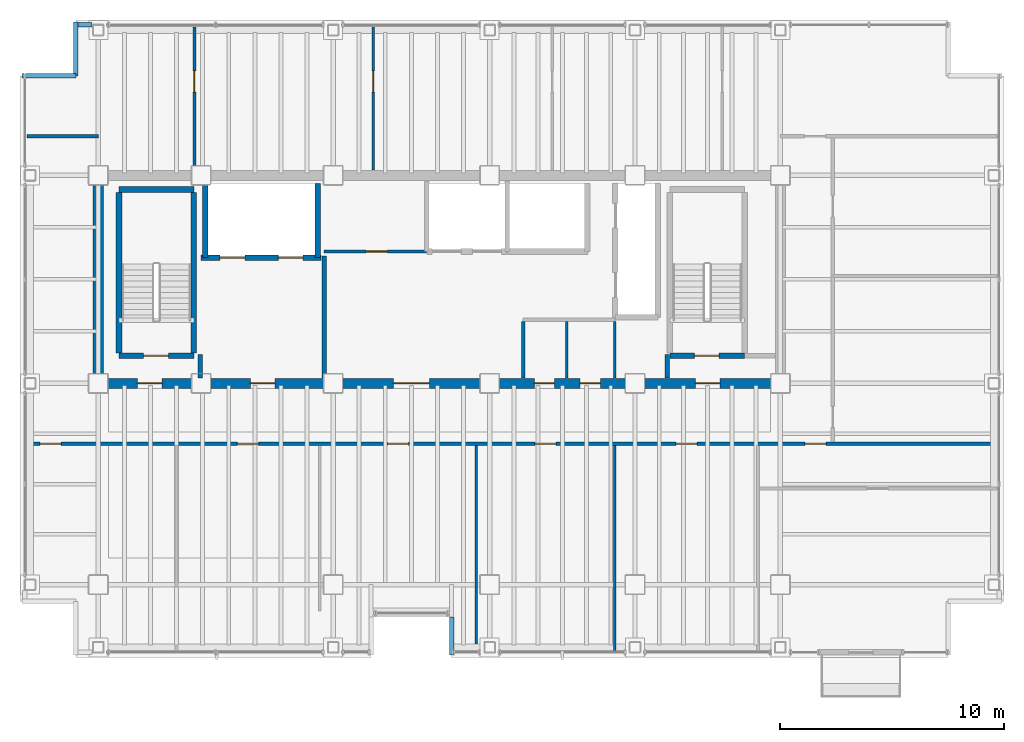
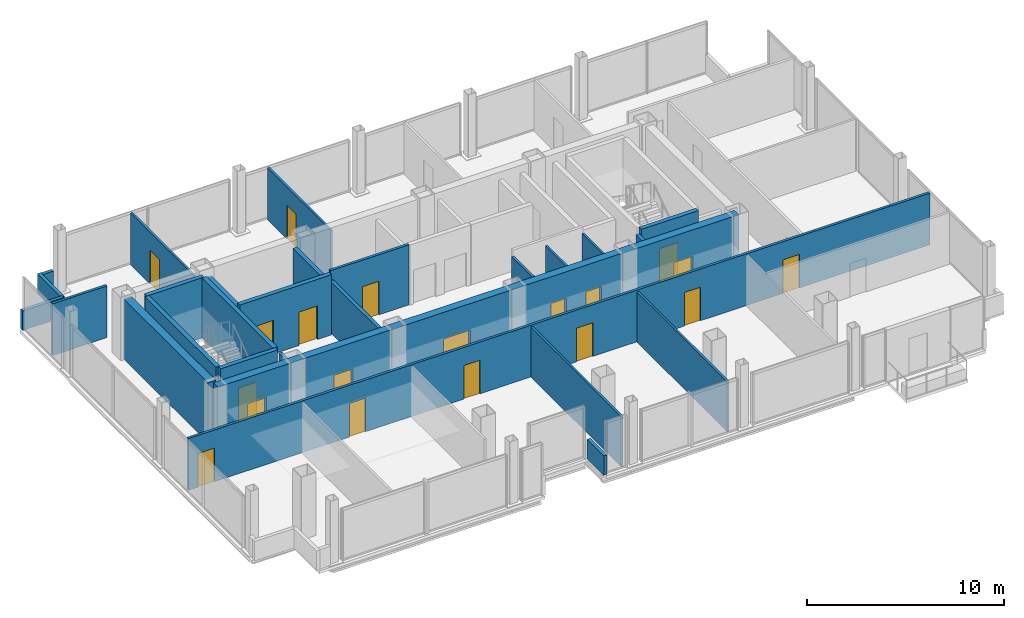
# One storey, part 13 of 16: 27 walls, 19 doors, 19 openings.
"""IFC4 building model written with IfcOpenShell, lengths in metres."""

from ifc_helpers import new_model, si_unit, direction, frame, frame_2d, origin, place, context, subcontext, project, spatial, rectangle, extrude, material, layer, layer_set, type_object, element, fill, save


model = new_model("IFC4")

# Units and contexts
model_context = context("Model", 3, precision=1e-05, world=origin(), true_north=direction((0.0, 1.0)))
body_context = subcontext(model_context, "Body", "Model", "MODEL_VIEW")
ifc_project = project(units=[si_unit("LENGTHUNIT", "METRE"), si_unit("AREAUNIT", "SQUARE_METRE"), si_unit("VOLUMEUNIT", "CUBIC_METRE"), si_unit("PLANEANGLEUNIT", "RADIAN"), si_unit("MASSUNIT", "GRAM", prefix="KILO")], contexts=[model_context])

# Site, building, storey
site_placement = place(None, origin())
site = spatial("IfcSite", under=ifc_project, at=site_placement, CompositionType="ELEMENT")
building_placement = place(site_placement, origin())
building = spatial("IfcBuilding", under=site, at=building_placement, Name="Noeulbin Bourse Tower", CompositionType="ELEMENT")
storey_placement = place(building_placement, frame((0.0, 0.0, 181.199951171875)))
storey = spatial("IfcBuildingStorey", under=building, at=storey_placement, Name="L45", CompositionType="ELEMENT", Elevation=181.199951171875)

# Wall, openings, doors
ifc_material_1 = material(Name="Concrete C50/60", Category="concrete")
ifc_layer_1 = layer(ifc_material_1, 0.449951171875)
ifc_layer_set_1 = layer_set([ifc_layer_1], Name="Concrete C50/60")
wall_type_1 = type_object("IfcWallType", Name="WAL-CORE-450", PredefinedType="SHEAR", material=ifc_layer_set_1)
wall_1_placement = place(storey_placement, frame((13.5, 29.0, 0.0), z_axis=(0.0, 0.0, 1.0), x_axis=(1.0, 0.0, 0.0)))
wall_1 = element("IfcWall", 1, at=wall_1_placement, inside=storey, type_object=wall_type_1, Name="Rear Core South Shear Wall L45", PredefinedType="SHEAR", context=body_context, shape_type="SweptSolid", body=[
    extrude(rectangle(XDim=30.5, YDim=0.449951171875, at=frame_2d((15.25, 0.0))), origin(), (0.0, 0.0, 1.0), 3.719970703125),
])
opening_1_placement = place(wall_1_placement, frame((1.75, 0.0, 0.0)))
opening_1 = element("IfcOpeningElement", 2, at=opening_1_placement, cuts=wall_1, Name="Opening FD-11", PredefinedType="OPENING", context=body_context, shape_type="SweptSolid", body=[
    extrude(rectangle(XDim=1.10009765625, YDim=2.080078125, at=frame_2d((0.550048828125, 1.0400390625))), frame((0.0, 0.23486328125, 0.0), z_axis=(0.0, -1.0, 0.0), x_axis=(1.0, 0.0, 0.0)), (0.0, 0.0, 1.0), 0.469970703125),
])
opening_2_placement = place(wall_1_placement, frame((26.699951171875, 0.0, 0.0)))
opening_2 = element("IfcOpeningElement", 3, at=opening_2_placement, cuts=wall_1, Name="Opening FD-11", PredefinedType="OPENING", context=body_context, shape_type="SweptSolid", body=[
    extrude(rectangle(XDim=1.10009765625, YDim=2.080078125, at=frame_2d((0.550048828125, 1.0400390625))), frame((0.0, 0.23486328125, 0.0), z_axis=(0.0, -1.0, 0.0), x_axis=(1.0, 0.0, 0.0)), (0.0, 0.0, 1.0), 0.469970703125),
])
opening_3_placement = place(wall_1_placement, frame((6.800048828125, 0.0, 0.0)))
opening_3 = element("IfcOpeningElement", 4, at=opening_3_placement, cuts=wall_1, Name="Opening FD-11", PredefinedType="OPENING", context=body_context, shape_type="SweptSolid", body=[
    extrude(rectangle(XDim=1.10009765625, YDim=2.080078125, at=frame_2d((0.550048828125, 1.0400390625))), frame((0.0, 0.23486328125, 0.0), z_axis=(0.0, -1.0, 0.0), x_axis=(1.0, 0.0, 0.0)), (0.0, 0.0, 1.0), 0.469970703125),
])
opening_4_placement = place(wall_1_placement, frame((13.199951171875, 0.0, 0.0)))
opening_4 = element("IfcOpeningElement", 5, at=opening_4_placement, cuts=wall_1, Name="Opening ID-16", PredefinedType="OPENING", context=body_context, shape_type="SweptSolid", body=[
    extrude(rectangle(XDim=1.60009765625, YDim=2.080078125, at=frame_2d((0.800048828125, 1.0400390625))), frame((0.0, 0.23486328125, 0.0), z_axis=(0.0, -1.0, 0.0), x_axis=(1.0, 0.0, 0.0)), (0.0, 0.0, 1.0), 0.469970703125),
])
opening_5_placement = place(wall_1_placement, frame((19.5, 0.0, 0.0)))
opening_5 = element("IfcOpeningElement", 6, at=opening_5_placement, cuts=wall_1, Name="Opening FD-09", PredefinedType="OPENING", context=body_context, shape_type="SweptSolid", body=[
    extrude(rectangle(XDim=0.89990234375, YDim=2.080078125, at=frame_2d((0.449951171875, 1.0400390625))), frame((0.0, 0.23486328125, 0.0), z_axis=(0.0, -1.0, 0.0), x_axis=(1.0, 0.0, 0.0)), (0.0, 0.0, 1.0), 0.469970703125),
])
opening_6_placement = place(wall_1_placement, frame((21.550048828125, 0.0, 0.0)))
opening_6 = element("IfcOpeningElement", 7, at=opening_6_placement, cuts=wall_1, Name="Opening FD-09", PredefinedType="OPENING", context=body_context, shape_type="SweptSolid", body=[
    extrude(rectangle(XDim=0.89990234375, YDim=2.080078125, at=frame_2d((0.449951171875, 1.0400390625))), frame((0.0, 0.23486328125, 0.0), z_axis=(0.0, -1.0, 0.0), x_axis=(1.0, 0.0, 0.0)), (0.0, 0.0, 1.0), 0.469970703125),
])
ifc_material_2 = material(Name="Acoustic Glazed Aluminium", Category="aluminium")
door_type_1 = type_object("IfcDoorType", Name="DR-DBL-1600", OperationType="DOUBLE_DOOR_SINGLE_SWING", PredefinedType="DOOR", material=ifc_material_2)
door_1_placement = place(opening_4_placement, origin())
door_1 = element("IfcDoor", 8, at=door_1_placement, inside=storey, type_object=door_type_1, Name="Passenger Lift Lobby Portal L45", OperationType="DOUBLE_DOOR_SINGLE_SWING", OverallHeight=2.080078125, OverallWidth=1.60009765625, PredefinedType="DOOR", context=body_context, shape_type="SweptSolid", body=[
    extrude(rectangle(XDim=1.60009765625, YDim=2.080078125, at=frame_2d((0.800048828125, 1.0400390625))), frame((0.0, 0.02490234375, 0.0), z_axis=(0.0, -1.0, 0.0), x_axis=(1.0, 0.0, 0.0)), (0.0, 0.0, 1.0), 0.050048828125),
])
fill(opening_4, door_1)
ifc_material_3 = material(Name="Fire-Rated Timber Core", Category="wood")
door_type_2 = type_object("IfcDoorType", Name="DR-FD30-900", OperationType="SINGLE_SWING_RIGHT", PredefinedType="DOOR", material=ifc_material_3)
door_2_placement = place(opening_5_placement, origin())
door_2 = element("IfcDoor", 9, at=door_2_placement, inside=storey, type_object=door_type_2, Name="Interior Door L45-06", OperationType="SINGLE_SWING_RIGHT", OverallHeight=2.080078125, OverallWidth=0.89990234375, PredefinedType="DOOR", context=body_context, shape_type="SweptSolid", body=[
    extrude(rectangle(XDim=0.89990234375, YDim=2.080078125, at=frame_2d((0.449951171875, 1.0400390625))), frame((0.0, 0.02490234375, 0.0), z_axis=(0.0, -1.0, 0.0), x_axis=(1.0, 0.0, 0.0)), (0.0, 0.0, 1.0), 0.050048828125),
])
fill(opening_5, door_2)
door_3_placement = place(opening_6_placement, origin())
door_3 = element("IfcDoor", 10, at=door_3_placement, inside=storey, type_object=door_type_2, Name="Interior Door L45-07", OperationType="SINGLE_SWING_LEFT", OverallHeight=2.080078125, OverallWidth=0.89990234375, PredefinedType="DOOR", context=body_context, shape_type="SweptSolid", body=[
    extrude(rectangle(XDim=0.89990234375, YDim=2.080078125, at=frame_2d((0.449951171875, 1.0400390625))), frame((0.0, 0.02490234375, 0.0), z_axis=(0.0, -1.0, 0.0), x_axis=(1.0, 0.0, 0.0)), (0.0, 0.0, 1.0), 0.050048828125),
])
fill(opening_6, door_3)
ifc_material_4 = material(Name="Fire-Rated Insulated Steel", Category="steel")
door_type_3 = type_object("IfcDoorType", Name="DR-FD60-1100", OperationType="SINGLE_SWING_LEFT", PredefinedType="DOOR", material=ifc_material_4)
door_4_placement = place(opening_1_placement, origin())
door_4 = element("IfcDoor", 11, at=door_4_placement, inside=storey, type_object=door_type_3, Name="West Stair Lobby Door L45", OperationType="SINGLE_SWING_LEFT", OverallHeight=2.080078125, OverallWidth=1.10009765625, PredefinedType="DOOR", context=body_context, shape_type="SweptSolid", body=[
    extrude(rectangle(XDim=1.10009765625, YDim=2.080078125, at=frame_2d((0.550048828125, 1.0400390625))), frame((0.0, 0.02490234375, 0.0), z_axis=(0.0, -1.0, 0.0), x_axis=(1.0, 0.0, 0.0)), (0.0, 0.0, 1.0), 0.050048828125),
])
fill(opening_1, door_4)
door_5_placement = place(opening_2_placement, origin())
door_5 = element("IfcDoor", 12, at=door_5_placement, inside=storey, type_object=door_type_3, Name="East Stair Lobby Door L45", OperationType="SINGLE_SWING_RIGHT", OverallHeight=2.080078125, OverallWidth=1.10009765625, PredefinedType="DOOR", context=body_context, shape_type="SweptSolid", body=[
    extrude(rectangle(XDim=1.10009765625, YDim=2.080078125, at=frame_2d((0.550048828125, 1.0400390625))), frame((0.0, 0.02490234375, 0.0), z_axis=(0.0, -1.0, 0.0), x_axis=(1.0, 0.0, 0.0)), (0.0, 0.0, 1.0), 0.050048828125),
])
fill(opening_2, door_5)
door_6_placement = place(opening_3_placement, origin())
door_6 = element("IfcDoor", 13, at=door_6_placement, inside=storey, type_object=door_type_3, Name="Firefighting Lobby Door L45", OperationType="SINGLE_SWING_LEFT", OverallHeight=2.080078125, OverallWidth=1.10009765625, PredefinedType="DOOR", context=body_context, shape_type="SweptSolid", body=[
    extrude(rectangle(XDim=1.10009765625, YDim=2.080078125, at=frame_2d((0.550048828125, 1.0400390625))), frame((0.0, 0.02490234375, 0.0), z_axis=(0.0, -1.0, 0.0), x_axis=(1.0, 0.0, 0.0)), (0.0, 0.0, 1.0), 0.050048828125),
])
fill(opening_3, door_6)

# Walls
wall_2_placement = place(storey_placement, frame((13.5, 29.35009765625, 0.0), z_axis=(0.0, 0.0, 1.0), x_axis=(0.0, 1.0, 0.0)))
element("IfcWall", 14, at=wall_2_placement, inside=storey, type_object=wall_type_1, Name="Rear Core West Shear Wall L45", PredefinedType="SHEAR", context=body_context, shape_type="SweptSolid", body=[
    extrude(rectangle(XDim=8.599853515625, YDim=0.449951171875, at=frame_2d((4.2998046875, 0.0))), origin(), (0.0, 0.0, 1.0), 3.719970703125),
])
ifc_material_5 = material(Name="Concrete C40/50", Category="concrete")
ifc_layer_2 = layer(ifc_material_5, 0.199951171875)
ifc_layer_set_2 = layer_set([ifc_layer_2], Name="Concrete C40/50")
wall_type_2 = type_object("IfcWallType", Name="WAL-FIRE-200", PredefinedType="STANDARD", material=ifc_layer_set_2)
for number, where, z_axis, x_axis, name in (
    (15, (18.050048828125, 29.235107421875, 0.0), (0.0, 0.0, 1.0), (0.0, 1.0, 0.0), "Interior Partition Wall L45-09"),
    (16, (38.949951171875, 29.235107421875, 0.0), (0.0, 0.0, 1.0), (0.0, 1.0, 0.0), "Interior Partition Wall L45-10"),
):
    element("IfcWall", number, at=place(storey_placement, frame(where, z_axis=z_axis, x_axis=x_axis)), inside=storey, type_object=wall_type_2, Name=name, PredefinedType="STANDARD", context=body_context, shape_type="SweptSolid", body=[
        extrude(rectangle(XDim=1.06494140625, YDim=0.199951171875, at=frame_2d((0.532470703125, 0.0))), origin(), (0.0, 0.0, 1.0), 3.35009765625),
    ])
wall_3_placement = place(storey_placement, frame((23.60009765625, 29.235107421875, 0.0), z_axis=(0.0, 0.0, 1.0), x_axis=(0.0, 1.0, 0.0)))
element("IfcWall", 17, at=wall_3_placement, inside=storey, type_object=wall_type_2, Name="Interior Partition Wall L45-11", PredefinedType="STANDARD", context=body_context, shape_type="SweptSolid", body=[
    extrude(rectangle(XDim=5.46484375, YDim=0.199951171875, at=frame_2d((2.732421875, 0.0))), origin(), (0.0, 0.0, 1.0), 3.199951171875),
])
ifc_layer_3 = layer(ifc_material_5, 0.199951171875)
ifc_layer_set_3 = layer_set([ifc_layer_3], Name="Concrete C40/50")
wall_type_3 = type_object("IfcWallType", Name="WAL-PAR-200", PredefinedType="PARAPET", material=ifc_layer_set_3)
wall_4_placement = place(storey_placement, frame((12.60009765625, 45.030029296875, 0.0), z_axis=(0.0, 0.0, 1.0), x_axis=(1.0, 0.0, 0.0)))
element("IfcWall", 18, at=wall_4_placement, inside=storey, type_object=wall_type_3, Name="Perimeter Pier Spandrel Parapet L45-N1", PredefinedType="PARAPET", context=body_context, shape_type="SweptSolid", body=[
    extrude(rectangle(XDim=0.6298828125, YDim=0.199951171875, at=frame_2d((0.31494140625, 0.0))), origin(), (0.0, 0.0, 1.0), 1.199951171875),
])
for number, where, z_axis, x_axis, name in (
    (19, (10.10009765625, 42.75, 0.0), (0.0, 0.0, 1.0), (1.0, 0.0, 0.0), "Corner Notch Parapet L45-NW1"),
    (20, (12.5, 42.75, 0.0), (0.0, 0.0, 1.0), (0.0, 1.0, 0.0), "Corner Notch Parapet L45-NW2"),
):
    element("IfcWall", number, at=place(storey_placement, frame(where, z_axis=z_axis, x_axis=x_axis)), inside=storey, type_object=wall_type_3, Name=name, PredefinedType="PARAPET", context=body_context, shape_type="SweptSolid", body=[
        extrude(rectangle(XDim=2.39990234375, YDim=0.199951171875, at=frame_2d((1.199951171875, 0.0))), origin(), (0.0, 0.0, 1.0), 1.199951171875),
    ])
wall_5_placement = place(storey_placement, frame((29.300048828125, 18.550048828125, 0.0), z_axis=(0.0, 0.0, 1.0), x_axis=(0.0, -1.0, 0.0)))
element("IfcWall", 21, at=wall_5_placement, inside=storey, type_object=wall_type_3, Name="Sky-Garden Recess Parapet L45-E", PredefinedType="PARAPET", context=body_context, shape_type="SweptSolid", body=[
    extrude(rectangle(XDim=1.699951171875, YDim=0.199951171875, at=frame_2d((0.85009765625, 0.0))), origin(), (0.0, 0.0, 1.0), 1.199951171875),
])
ifc_material_6 = material(Name="Steel Stud Gypsum Partition", Category="steel")
ifc_layer_4 = layer(ifc_material_6, 0.1201171875)
ifc_layer_set_4 = layer_set([ifc_layer_4], Name="Steel Stud Gypsum Partition")
wall_type_4 = type_object("IfcWallType", Name="WAL-PRT-120", PredefinedType="PARTITIONING", material=ifc_layer_set_4)
for number, where, z_axis, x_axis, name in (
    (22, (36.60009765625, 29.235107421875, 0.0), (0.0, 0.0, 1.0), (0.0, 1.0, 0.0), "Interior Partition Wall L45-13"),
    (23, (34.449951171875, 29.235107421875, 0.0), (0.0, 0.0, 1.0), (0.0, 1.0, 0.0), "Interior Partition Wall L45-14"),
):
    element("IfcWall", number, at=place(storey_placement, frame(where, z_axis=z_axis, x_axis=x_axis)), inside=storey, type_object=wall_type_4, Name=name, PredefinedType="PARTITIONING", context=body_context, shape_type="SweptSolid", body=[
        extrude(rectangle(XDim=2.52978515625, YDim=0.1201171875, at=frame_2d((1.264892578125, 0.0))), origin(), (0.0, 0.0, 1.0), 3.35009765625),
    ])
for number, where, z_axis, x_axis, name in (
    (24, (30.39990234375, 17.06005859375, 0.0), (0.0, 0.0, 1.0), (0.0, 1.0, 0.0), "Interior Partition Wall L45-18"),
    (25, (36.60009765625, 17.06005859375, 0.0), (0.0, 0.0, 1.0), (0.0, 1.0, 0.0), "Interior Partition Wall L45-19"),
):
    element("IfcWall", number, at=place(storey_placement, frame(where, z_axis=z_axis, x_axis=x_axis)), inside=storey, type_object=wall_type_4, Name=name, PredefinedType="PARTITIONING", context=body_context, shape_type="SweptSolid", body=[
        extrude(rectangle(XDim=9.155029296875, YDim=0.1201171875, at=frame_2d((4.57763671875, 0.0))), origin(), (0.0, 0.0, 1.0), 3.10009765625),
    ])

# Wall, opening, door
wall_6_placement = place(storey_placement, frame((17.800048828125, 38.534912109375, 0.0), z_axis=(0.0, 0.0, 1.0), x_axis=(0.0, 1.0, 0.0)))
wall_6 = element("IfcWall", 26, at=wall_6_placement, inside=storey, type_object=wall_type_4, Name="Interior Partition Wall L45-21", PredefinedType="PARTITIONING", context=body_context, shape_type="SweptSolid", body=[
    extrude(rectangle(XDim=6.405029296875, YDim=0.1201171875, at=frame_2d((3.20263671875, 0.0))), origin(), (0.0, 0.0, 1.0), 3.212158203125),
])
opening_7_placement = place(wall_6_placement, frame((3.485107421875, 0.0, 0.0)))
opening_7 = element("IfcOpeningElement", 27, at=opening_7_placement, cuts=wall_6, Name="Opening ID-09", PredefinedType="OPENING", context=body_context, shape_type="SweptSolid", body=[
    extrude(rectangle(XDim=0.949951171875, YDim=2.080078125, at=frame_2d((0.47509765625, 1.0400390625))), frame((0.0, 0.070068359375, 0.0), z_axis=(0.0, -1.0, 0.0), x_axis=(1.0, 0.0, 0.0)), (0.0, 0.0, 1.0), 0.14013671875),
])
ifc_material_7 = material(Name="Acoustic Solid-Core Timber", Category="wood")
door_type_4 = type_object("IfcDoorType", Name="DR-SINGLE-950", OperationType="SINGLE_SWING_LEFT", PredefinedType="DOOR", material=ifc_material_7)
door_7_placement = place(opening_7_placement, origin())
door_7 = element("IfcDoor", 28, at=door_7_placement, inside=storey, type_object=door_type_4, Name="Interior Door L45-18", OperationType="SINGLE_SWING_RIGHT", OverallHeight=2.080078125, OverallWidth=0.949951171875, PredefinedType="DOOR", context=body_context, shape_type="SweptSolid", body=[
    extrude(rectangle(XDim=0.949951171875, YDim=2.080078125, at=frame_2d((0.47509765625, 1.0400390625))), frame((0.0, 0.02490234375, 0.0), z_axis=(0.0, -1.0, 0.0), x_axis=(1.0, 0.0, 0.0)), (0.0, 0.0, 1.0), 0.050048828125),
])
fill(opening_7, door_7)

wall_7_placement = place(storey_placement, frame((25.800048828125, 38.534912109375, 0.0), z_axis=(0.0, 0.0, 1.0), x_axis=(0.0, 1.0, 0.0)))
wall_7 = element("IfcWall", 29, at=wall_7_placement, inside=storey, type_object=wall_type_4, Name="Interior Partition Wall L45-22", PredefinedType="PARTITIONING", context=body_context, shape_type="SweptSolid", body=[
    extrude(rectangle(XDim=6.405029296875, YDim=0.1201171875, at=frame_2d((3.20263671875, 0.0))), origin(), (0.0, 0.0, 1.0), 3.212158203125),
])
opening_8_placement = place(wall_7_placement, frame((3.485107421875, 0.0, 0.0)))
opening_8 = element("IfcOpeningElement", 30, at=opening_8_placement, cuts=wall_7, Name="Opening ID-09", PredefinedType="OPENING", context=body_context, shape_type="SweptSolid", body=[
    extrude(rectangle(XDim=0.949951171875, YDim=2.080078125, at=frame_2d((0.47509765625, 1.0400390625))), frame((0.0, 0.070068359375, 0.0), z_axis=(0.0, -1.0, 0.0), x_axis=(1.0, 0.0, 0.0)), (0.0, 0.0, 1.0), 0.14013671875),
])
door_8_placement = place(opening_8_placement, origin())
door_8 = element("IfcDoor", 31, at=door_8_placement, inside=storey, type_object=door_type_4, Name="Interior Door L45-19", OperationType="SINGLE_SWING_LEFT", OverallHeight=2.080078125, OverallWidth=0.949951171875, PredefinedType="DOOR", context=body_context, shape_type="SweptSolid", body=[
    extrude(rectangle(XDim=0.949951171875, YDim=2.080078125, at=frame_2d((0.47509765625, 1.0400390625))), frame((0.0, 0.02490234375, 0.0), z_axis=(0.0, -1.0, 0.0), x_axis=(1.0, 0.0, 0.0)), (0.0, 0.0, 1.0), 0.050048828125),
])
fill(opening_8, door_8)

ifc_material_8 = material(Name="Steel Stud Acoustic Gypsum Board", Category="steel")
ifc_layer_5 = layer(ifc_material_8, 0.14990234375)
ifc_layer_set_5 = layer_set([ifc_layer_5], Name="Steel Stud Acoustic Gypsum Board")
wall_type_5 = type_object("IfcWallType", Name="WAL-PRT-150", PredefinedType="PARTITIONING", material=ifc_layer_set_5)
wall_8_placement = place(storey_placement, frame((23.60009765625, 34.89990234375, 0.0), z_axis=(0.0, 0.0, 1.0), x_axis=(1.0, 0.0, 0.0)))
wall_8 = element("IfcWall", 32, at=wall_8_placement, inside=storey, type_object=wall_type_5, Name="Interior Partition Wall L45-02", PredefinedType="PARTITIONING", context=body_context, shape_type="SweptSolid", body=[
    extrude(rectangle(XDim=4.579833984375, YDim=0.14990234375, at=frame_2d((2.2900390625, 0.0))), origin(), (0.0, 0.0, 1.0), 3.719970703125),
])
opening_9_placement = place(wall_8_placement, frame((1.875, 0.0, 0.0)))
opening_9 = element("IfcOpeningElement", 33, at=opening_9_placement, cuts=wall_8, Name="Opening ID-09", PredefinedType="OPENING", context=body_context, shape_type="SweptSolid", body=[
    extrude(rectangle(XDim=0.949951171875, YDim=2.080078125, at=frame_2d((0.47509765625, 1.0400390625))), frame((0.0, 0.0849609375, 0.0), z_axis=(0.0, -1.0, 0.0), x_axis=(1.0, 0.0, 0.0)), (0.0, 0.0, 1.0), 0.169921875),
])
door_9_placement = place(opening_9_placement, origin())
door_9 = element("IfcDoor", 34, at=door_9_placement, inside=storey, type_object=door_type_4, Name="Archive Room Door L45", OperationType="SINGLE_SWING_LEFT", OverallHeight=2.080078125, OverallWidth=0.949951171875, PredefinedType="DOOR", context=body_context, shape_type="SweptSolid", body=[
    extrude(rectangle(XDim=0.949951171875, YDim=2.080078125, at=frame_2d((0.47509765625, 1.0400390625))), frame((0.0, 0.02490234375, 0.0), z_axis=(0.0, -1.0, 0.0), x_axis=(1.0, 0.0, 0.0)), (0.0, 0.0, 1.0), 0.050048828125),
])
fill(opening_9, door_9)

# Wall, openings, doors
wall_9_placement = place(storey_placement, frame((10.31005859375, 26.300048828125, 0.0), z_axis=(0.0, 0.0, 1.0), x_axis=(1.0, 0.0, 0.0)))
wall_9 = element("IfcWall", 35, at=wall_9_placement, inside=storey, type_object=wall_type_5, Name="Interior Partition Wall L45-04", PredefinedType="PARTITIONING", context=body_context, shape_type="SweptSolid", body=[
    extrude(rectangle(XDim=43.3798828125, YDim=0.14990234375, at=frame_2d((21.68994140625, 0.0))), origin(), (0.0, 0.0, 1.0), 3.199951171875),
])
opening_10_placement = place(wall_9_placement, frame((0.574951171875, 0.0, 0.0)))
opening_10 = element("IfcOpeningElement", 36, at=opening_10_placement, cuts=wall_9, Name="Opening ID-09", PredefinedType="OPENING", context=body_context, shape_type="SweptSolid", body=[
    extrude(rectangle(XDim=0.949951171875, YDim=2.080078125, at=frame_2d((0.47509765625, 1.0400390625))), frame((0.0, 0.0849609375, 0.0), z_axis=(0.0, -1.0, 0.0), x_axis=(1.0, 0.0, 0.0)), (0.0, 0.0, 1.0), 0.169921875),
])
opening_11_placement = place(wall_9_placement, frame((9.4150390625, 0.0, 0.0)))
opening_11 = element("IfcOpeningElement", 37, at=opening_11_placement, cuts=wall_9, Name="Opening ID-09", PredefinedType="OPENING", context=body_context, shape_type="SweptSolid", body=[
    extrude(rectangle(XDim=0.949951171875, YDim=2.080078125, at=frame_2d((0.47509765625, 1.0400390625))), frame((0.0, 0.0849609375, 0.0), z_axis=(0.0, -1.0, 0.0), x_axis=(1.0, 0.0, 0.0)), (0.0, 0.0, 1.0), 0.169921875),
])
opening_12_placement = place(wall_9_placement, frame((16.114990234375, 0.0, 0.0)))
opening_12 = element("IfcOpeningElement", 38, at=opening_12_placement, cuts=wall_9, Name="Opening ID-09", PredefinedType="OPENING", context=body_context, shape_type="SweptSolid", body=[
    extrude(rectangle(XDim=0.949951171875, YDim=2.080078125, at=frame_2d((0.47509765625, 1.0400390625))), frame((0.0, 0.0849609375, 0.0), z_axis=(0.0, -1.0, 0.0), x_axis=(1.0, 0.0, 0.0)), (0.0, 0.0, 1.0), 0.169921875),
])
opening_13_placement = place(wall_9_placement, frame((22.715087890625, 0.0, 0.0)))
opening_13 = element("IfcOpeningElement", 39, at=opening_13_placement, cuts=wall_9, Name="Opening ID-09", PredefinedType="OPENING", context=body_context, shape_type="SweptSolid", body=[
    extrude(rectangle(XDim=0.949951171875, YDim=2.080078125, at=frame_2d((0.47509765625, 1.0400390625))), frame((0.0, 0.0849609375, 0.0), z_axis=(0.0, -1.0, 0.0), x_axis=(1.0, 0.0, 0.0)), (0.0, 0.0, 1.0), 0.169921875),
])
opening_14_placement = place(wall_9_placement, frame((29.014892578125, 0.0, 0.0)))
opening_14 = element("IfcOpeningElement", 40, at=opening_14_placement, cuts=wall_9, Name="Opening ID-09", PredefinedType="OPENING", context=body_context, shape_type="SweptSolid", body=[
    extrude(rectangle(XDim=0.949951171875, YDim=2.080078125, at=frame_2d((0.47509765625, 1.0400390625))), frame((0.0, 0.0849609375, 0.0), z_axis=(0.0, -1.0, 0.0), x_axis=(1.0, 0.0, 0.0)), (0.0, 0.0, 1.0), 0.169921875),
])
opening_15_placement = place(wall_9_placement, frame((34.7900390625, 0.0, 0.0)))
opening_15 = element("IfcOpeningElement", 41, at=opening_15_placement, cuts=wall_9, Name="Opening ID-09", PredefinedType="OPENING", context=body_context, shape_type="SweptSolid", body=[
    extrude(rectangle(XDim=0.949951171875, YDim=2.080078125, at=frame_2d((0.47509765625, 1.0400390625))), frame((0.0, 0.0849609375, 0.0), z_axis=(0.0, -1.0, 0.0), x_axis=(1.0, 0.0, 0.0)), (0.0, 0.0, 1.0), 0.169921875),
])
door_10_placement = place(opening_10_placement, origin())
door_10 = element("IfcDoor", 42, at=door_10_placement, inside=storey, type_object=door_type_4, Name="Interior Door L45-08", OperationType="SINGLE_SWING_RIGHT", OverallHeight=2.080078125, OverallWidth=0.949951171875, PredefinedType="DOOR", context=body_context, shape_type="SweptSolid", body=[
    extrude(rectangle(XDim=0.949951171875, YDim=2.080078125, at=frame_2d((0.47509765625, 1.0400390625))), frame((0.0, 0.02490234375, 0.0), z_axis=(0.0, -1.0, 0.0), x_axis=(1.0, 0.0, 0.0)), (0.0, 0.0, 1.0), 0.050048828125),
])
fill(opening_10, door_10)
door_11_placement = place(opening_11_placement, origin())
door_11 = element("IfcDoor", 43, at=door_11_placement, inside=storey, type_object=door_type_4, Name="Interior Door L45-09", OperationType="SINGLE_SWING_LEFT", OverallHeight=2.080078125, OverallWidth=0.949951171875, PredefinedType="DOOR", context=body_context, shape_type="SweptSolid", body=[
    extrude(rectangle(XDim=0.949951171875, YDim=2.080078125, at=frame_2d((0.47509765625, 1.0400390625))), frame((0.0, 0.02490234375, 0.0), z_axis=(0.0, -1.0, 0.0), x_axis=(1.0, 0.0, 0.0)), (0.0, 0.0, 1.0), 0.050048828125),
])
fill(opening_11, door_11)
door_12_placement = place(opening_12_placement, origin())
door_12 = element("IfcDoor", 44, at=door_12_placement, inside=storey, type_object=door_type_4, Name="Interior Door L45-10", OperationType="SINGLE_SWING_RIGHT", OverallHeight=2.080078125, OverallWidth=0.949951171875, PredefinedType="DOOR", context=body_context, shape_type="SweptSolid", body=[
    extrude(rectangle(XDim=0.949951171875, YDim=2.080078125, at=frame_2d((0.47509765625, 1.0400390625))), frame((0.0, 0.02490234375, 0.0), z_axis=(0.0, -1.0, 0.0), x_axis=(1.0, 0.0, 0.0)), (0.0, 0.0, 1.0), 0.050048828125),
])
fill(opening_12, door_12)
door_13_placement = place(opening_13_placement, origin())
door_13 = element("IfcDoor", 45, at=door_13_placement, inside=storey, type_object=door_type_4, Name="Interior Door L45-11", OperationType="SINGLE_SWING_LEFT", OverallHeight=2.080078125, OverallWidth=0.949951171875, PredefinedType="DOOR", context=body_context, shape_type="SweptSolid", body=[
    extrude(rectangle(XDim=0.949951171875, YDim=2.080078125, at=frame_2d((0.47509765625, 1.0400390625))), frame((0.0, 0.02490234375, 0.0), z_axis=(0.0, -1.0, 0.0), x_axis=(1.0, 0.0, 0.0)), (0.0, 0.0, 1.0), 0.050048828125),
])
fill(opening_13, door_13)
door_14_placement = place(opening_14_placement, origin())
door_14 = element("IfcDoor", 46, at=door_14_placement, inside=storey, type_object=door_type_4, Name="Interior Door L45-12", OperationType="SINGLE_SWING_RIGHT", OverallHeight=2.080078125, OverallWidth=0.949951171875, PredefinedType="DOOR", context=body_context, shape_type="SweptSolid", body=[
    extrude(rectangle(XDim=0.949951171875, YDim=2.080078125, at=frame_2d((0.47509765625, 1.0400390625))), frame((0.0, 0.02490234375, 0.0), z_axis=(0.0, -1.0, 0.0), x_axis=(1.0, 0.0, 0.0)), (0.0, 0.0, 1.0), 0.050048828125),
])
fill(opening_14, door_14)
door_15_placement = place(opening_15_placement, origin())
door_15 = element("IfcDoor", 47, at=door_15_placement, inside=storey, type_object=door_type_4, Name="Interior Door L45-14", OperationType="SINGLE_SWING_RIGHT", OverallHeight=2.080078125, OverallWidth=0.949951171875, PredefinedType="DOOR", context=body_context, shape_type="SweptSolid", body=[
    extrude(rectangle(XDim=0.949951171875, YDim=2.080078125, at=frame_2d((0.47509765625, 1.0400390625))), frame((0.0, 0.02490234375, 0.0), z_axis=(0.0, -1.0, 0.0), x_axis=(1.0, 0.0, 0.0)), (0.0, 0.0, 1.0), 0.050048828125),
])
fill(opening_15, door_15)

# Walls
wall_10_placement = place(storey_placement, frame((10.31005859375, 40.050048828125, 0.0), z_axis=(0.0, 0.0, 1.0), x_axis=(1.0, 0.0, 0.0)))
element("IfcWall", 48, at=wall_10_placement, inside=storey, type_object=wall_type_5, Name="Interior Partition Wall L45-07", PredefinedType="PARTITIONING", context=body_context, shape_type="SweptSolid", body=[
    extrude(rectangle(XDim=3.18994140625, YDim=0.14990234375, at=frame_2d((1.594970703125, 0.0))), origin(), (0.0, 0.0, 1.0), 3.199951171875),
])
wall_11_placement = place(storey_placement, frame((32.5, 29.235107421875, 0.0), z_axis=(0.0, 0.0, 1.0), x_axis=(0.0, 1.0, 0.0)))
element("IfcWall", 49, at=wall_11_placement, inside=storey, type_object=wall_type_5, Name="Interior Partition Wall L45-12", PredefinedType="PARTITIONING", context=body_context, shape_type="SweptSolid", body=[
    extrude(rectangle(XDim=2.52978515625, YDim=0.14990234375, at=frame_2d((1.264892578125, 0.0))), origin(), (0.0, 0.0, 1.0), 3.35009765625),
])

# Wall, opening, door
ifc_layer_6 = layer(ifc_material_5, 0.25)
ifc_layer_set_6 = layer_set([ifc_layer_6], Name="Concrete C40/50")
wall_type_6 = type_object("IfcWallType", Name="WAL-SHFT-250", PredefinedType="STANDARD", material=ifc_layer_set_6)
wall_12_placement = place(storey_placement, frame((14.429931640625, 30.235107421875, 0.0), z_axis=(0.0, 0.0, 1.0), x_axis=(1.0, 0.0, 0.0)))
wall_12 = element("IfcWall", 50, at=wall_12_placement, inside=storey, type_object=wall_type_6, Name="Stair ST-1 South Shaft Wall L45", PredefinedType="STANDARD", context=body_context, shape_type="SweptSolid", body=[
    extrude(rectangle(XDim=3.340087890625, YDim=0.25, at=frame_2d((1.669921875, 0.0))), origin(), (0.0, 0.0, 1.0), 3.719970703125),
])
opening_16_placement = place(wall_12_placement, frame((1.10009765625, 0.0, 0.0)))
opening_16 = element("IfcOpeningElement", 51, at=opening_16_placement, cuts=wall_12, Name="Opening FD-11", PredefinedType="OPENING", context=body_context, shape_type="SweptSolid", body=[
    extrude(rectangle(XDim=1.10009765625, YDim=2.080078125, at=frame_2d((0.550048828125, 1.0400390625))), frame((0.0, 0.135009765625, 0.0), z_axis=(0.0, -1.0, 0.0), x_axis=(1.0, 0.0, 0.0)), (0.0, 0.0, 1.0), 0.27001953125),
])
door_16_placement = place(opening_16_placement, origin())
door_16 = element("IfcDoor", 52, at=door_16_placement, inside=storey, type_object=door_type_3, Name="Protected Stair Entry Door ST1-L45", OperationType="SINGLE_SWING_LEFT", OverallHeight=2.080078125, OverallWidth=1.10009765625, PredefinedType="DOOR", context=body_context, shape_type="SweptSolid", body=[
    extrude(rectangle(XDim=1.10009765625, YDim=2.080078125, at=frame_2d((0.550048828125, 1.0400390625))), frame((0.0, 0.02490234375, 0.0), z_axis=(0.0, -1.0, 0.0), x_axis=(1.0, 0.0, 0.0)), (0.0, 0.0, 1.0), 0.050048828125),
])
fill(opening_16, door_16)

# Walls
wall_13_placement = place(storey_placement, frame((14.429931640625, 37.6689453125, 0.0), z_axis=(0.0, 0.0, 1.0), x_axis=(1.0, 0.0, 0.0)))
element("IfcWall", 53, at=wall_13_placement, inside=storey, type_object=wall_type_6, Name="Stair ST-1 North Shaft Wall L45", PredefinedType="STANDARD", context=body_context, shape_type="SweptSolid", body=[
    extrude(rectangle(XDim=3.340087890625, YDim=0.25, at=frame_2d((1.669921875, 0.0))), origin(), (0.0, 0.0, 1.0), 3.719970703125),
])
for number, where, z_axis, x_axis, name in (
    (54, (14.425048828125, 30.360107421875, 0.0), (0.0, 0.0, 1.0), (0.0, 1.0, 0.0), "Stair ST-1 West Shaft Wall L45"),
    (55, (17.77490234375, 30.360107421875, 0.0), (0.0, 0.0, 1.0), (0.0, 1.0, 0.0), "Stair ST-1 East Shaft Wall L45"),
):
    element("IfcWall", number, at=place(storey_placement, frame(where, z_axis=z_axis, x_axis=x_axis)), inside=storey, type_object=wall_type_6, Name=name, PredefinedType="STANDARD", context=body_context, shape_type="SweptSolid", body=[
        extrude(rectangle(XDim=7.183837890625, YDim=0.25, at=frame_2d((3.591796875, 0.0))), origin(), (0.0, 0.0, 1.0), 3.719970703125),
    ])

# Wall, opening, door
wall_14_placement = place(storey_placement, frame((39.06005859375, 30.235107421875, 0.0), z_axis=(0.0, 0.0, 1.0), x_axis=(1.0, 0.0, 0.0)))
wall_14 = element("IfcWall", 56, at=wall_14_placement, inside=storey, type_object=wall_type_6, Name="Stair ST-2 South Shaft Wall L45", PredefinedType="STANDARD", context=body_context, shape_type="SweptSolid", body=[
    extrude(rectangle(XDim=3.33984375, YDim=0.25, at=frame_2d((1.669921875, 0.0))), origin(), (0.0, 0.0, 1.0), 3.719970703125),
])
opening_17_placement = place(wall_14_placement, frame((1.10009765625, 0.0, 0.0)))
opening_17 = element("IfcOpeningElement", 57, at=opening_17_placement, cuts=wall_14, Name="Opening FD-11", PredefinedType="OPENING", context=body_context, shape_type="SweptSolid", body=[
    extrude(rectangle(XDim=1.10009765625, YDim=2.080078125, at=frame_2d((0.550048828125, 1.0400390625))), frame((0.0, 0.135009765625, 0.0), z_axis=(0.0, -1.0, 0.0), x_axis=(1.0, 0.0, 0.0)), (0.0, 0.0, 1.0), 0.27001953125),
])
door_17_placement = place(opening_17_placement, origin())
door_17 = element("IfcDoor", 58, at=door_17_placement, inside=storey, type_object=door_type_3, Name="Protected Stair Entry Door ST2-L45", OperationType="SINGLE_SWING_RIGHT", OverallHeight=2.080078125, OverallWidth=1.10009765625, PredefinedType="DOOR", context=body_context, shape_type="SweptSolid", body=[
    extrude(rectangle(XDim=1.10009765625, YDim=2.080078125, at=frame_2d((0.550048828125, 1.0400390625))), frame((0.0, 0.02490234375, 0.0), z_axis=(0.0, -1.0, 0.0), x_axis=(1.0, 0.0, 0.0)), (0.0, 0.0, 1.0), 0.050048828125),
])
fill(opening_17, door_17)

# Wall, openings, doors
wall_15_placement = place(storey_placement, frame((18.10009765625, 34.6201171875, 0.0), z_axis=(0.0, 0.0, 1.0), x_axis=(1.0, 0.0, 0.0)))
wall_15 = element("IfcWall", 59, at=wall_15_placement, inside=storey, type_object=wall_type_6, Name="Firefighting Lift Shaft Front L45", PredefinedType="STANDARD", context=body_context, shape_type="SweptSolid", body=[
    extrude(rectangle(XDim=5.349853515625, YDim=0.25, at=frame_2d((2.6748046875, 0.0))), origin(), (0.0, 0.0, 1.0), 3.719970703125),
])
opening_18_placement = place(wall_15_placement, frame((0.85009765625, 0.0, 0.0)))
opening_18 = element("IfcOpeningElement", 60, at=opening_18_placement, cuts=wall_15, Name="Opening LD-11", PredefinedType="OPENING", context=body_context, shape_type="SweptSolid", body=[
    extrude(rectangle(XDim=1.10009765625, YDim=2.080078125, at=frame_2d((0.550048828125, 1.0400390625))), frame((0.0, 0.135009765625, 0.0), z_axis=(0.0, -1.0, 0.0), x_axis=(1.0, 0.0, 0.0)), (0.0, 0.0, 1.0), 0.27001953125),
])
opening_19_placement = place(wall_15_placement, frame((3.449951171875, 0.0, 0.0)))
opening_19 = element("IfcOpeningElement", 61, at=opening_19_placement, cuts=wall_15, Name="Opening LD-11", PredefinedType="OPENING", context=body_context, shape_type="SweptSolid", body=[
    extrude(rectangle(XDim=1.10009765625, YDim=2.080078125, at=frame_2d((0.550048828125, 1.0400390625))), frame((0.0, 0.135009765625, 0.0), z_axis=(0.0, -1.0, 0.0), x_axis=(1.0, 0.0, 0.0)), (0.0, 0.0, 1.0), 0.27001953125),
])
ifc_material_9 = material(Name="Brushed Stainless Steel 316", Category="steel")
door_type_5 = type_object("IfcDoorType", Name="DR-LIFT-1100", OperationType="SLIDING_TO_LEFT", PredefinedType="DOOR", material=ifc_material_9)
door_18_placement = place(opening_18_placement, origin())
door_18 = element("IfcDoor", 62, at=door_18_placement, inside=storey, type_object=door_type_5, Name="Lift Landing Door LD-FL-01-L45", OperationType="SLIDING_TO_LEFT", OverallHeight=2.080078125, OverallWidth=1.10009765625, PredefinedType="DOOR", context=body_context, shape_type="SweptSolid", body=[
    extrude(rectangle(XDim=1.10009765625, YDim=2.080078125, at=frame_2d((0.550048828125, 1.0400390625))), frame((0.0, 0.02490234375, 0.0), z_axis=(0.0, -1.0, 0.0), x_axis=(1.0, 0.0, 0.0)), (0.0, 0.0, 1.0), 0.050048828125),
])
fill(opening_18, door_18)
door_19_placement = place(opening_19_placement, origin())
door_19 = element("IfcDoor", 63, at=door_19_placement, inside=storey, type_object=door_type_5, Name="Lift Landing Door LD-FL-02-L45", OperationType="SLIDING_TO_LEFT", OverallHeight=2.080078125, OverallWidth=1.10009765625, PredefinedType="DOOR", context=body_context, shape_type="SweptSolid", body=[
    extrude(rectangle(XDim=1.10009765625, YDim=2.080078125, at=frame_2d((0.550048828125, 1.0400390625))), frame((0.0, 0.02490234375, 0.0), z_axis=(0.0, -1.0, 0.0), x_axis=(1.0, 0.0, 0.0)), (0.0, 0.0, 1.0), 0.050048828125),
])
fill(opening_19, door_19)

# Walls
for number, where, z_axis, x_axis, name in (
    (64, (18.280029296875, 34.6201171875, 0.0), (0.0, 0.0, 1.0), (0.0, 1.0, 0.0), "Firefighting Lift West Shaft Wall L45"),
    (65, (23.320068359375, 34.6201171875, 0.0), (0.0, 0.0, 1.0), (0.0, 1.0, 0.0), "Firefighting Lift East Shaft Wall L45"),
):
    element("IfcWall", number, at=place(storey_placement, frame(where, z_axis=z_axis, x_axis=x_axis)), inside=storey, type_object=wall_type_6, Name=name, PredefinedType="STANDARD", context=body_context, shape_type="SweptSolid", body=[
        extrude(rectangle(XDim=3.329833984375, YDim=0.25, at=frame_2d((1.6650390625, 0.0))), origin(), (0.0, 0.0, 1.0), 3.35009765625),
    ])

save(model, "model.ifc")
